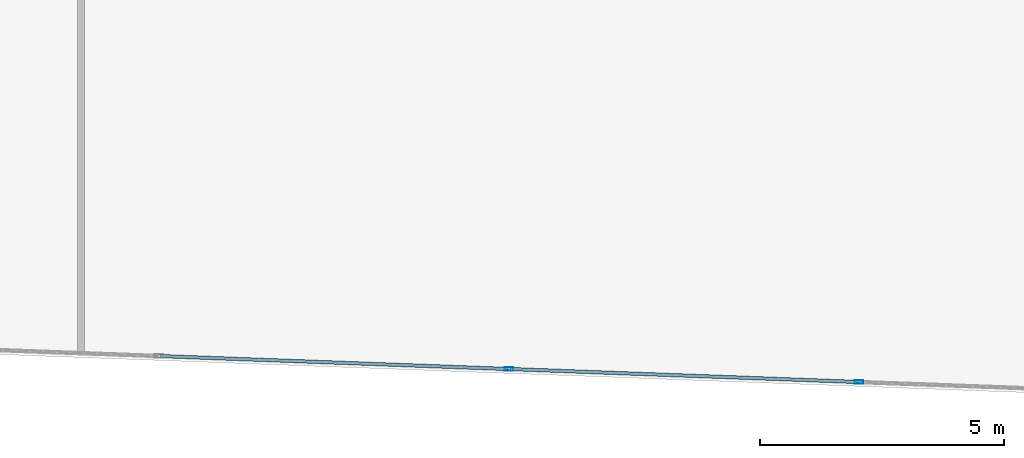
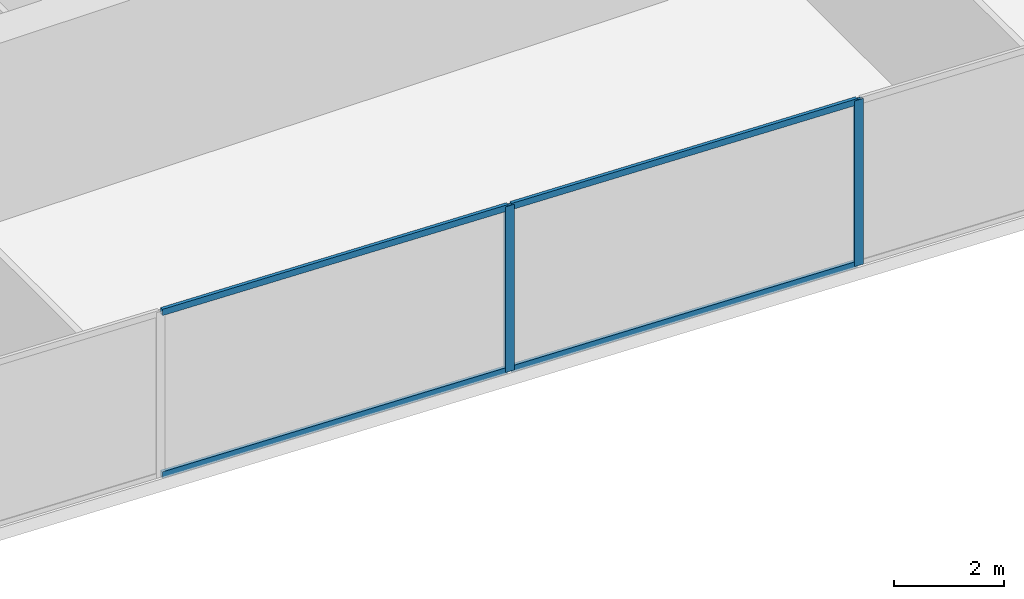
# One storey, part 6 of 30: 6 members, 1 element without a shape of its own.
"""IFC4 building model written with IfcOpenShell, lengths in metres."""

from ifc_helpers import new_model, si_unit, direction, frame, origin, origin_2d, place, context, subcontext, project, spatial, hollow_rectangle, extrude, source, transform, mapped, material, material_profile, profile_set, type_object, type_shapes, element, aggregate, save


model = new_model("IFC4")

# Units and contexts
model_context = context("Model", 3, precision=1e-05, world=origin(), true_north=direction((0.0, 1.0)))
body_context = subcontext(model_context, "Body", "Model", "MODEL_VIEW")
ifc_project = project(units=[si_unit("LENGTHUNIT", "METRE"), si_unit("AREAUNIT", "SQUARE_METRE"), si_unit("VOLUMEUNIT", "CUBIC_METRE"), si_unit("PLANEANGLEUNIT", "RADIAN"), si_unit("MASSUNIT", "GRAM", prefix="KILO")], contexts=[model_context])

# Site, building, storey
site_placement = place(None, origin())
site = spatial("IfcSite", under=ifc_project, at=site_placement, CompositionType="ELEMENT")
building_placement = place(site_placement, origin())
building = spatial("IfcBuilding", under=site, at=building_placement, Name="Krantzveldt Concourse Tower", CompositionType="ELEMENT")
storey_placement = place(building_placement, frame((0.0, 0.0, 36.85009765625)))
storey = spatial("IfcBuildingStorey", under=building, at=storey_placement, Name="L08", CompositionType="ELEMENT", Elevation=36.85009765625)

# Curtain wall, members
ifc_material = material(Name="Anodised aluminium 6063-T6", Category="aluminium")
curtain_wall_type = type_object("IfcCurtainWallType", Name="CW2", PredefinedType="USERDEFINED", material=ifc_material)
curtain_wall_placement = place(storey_placement, origin())
curtain_wall = element("IfcCurtainWall", 1, at=curtain_wall_placement, inside=storey, type_object=curtain_wall_type, Name="CW-L08-F04", ObjectType="UNITISED CURTAIN WALL", PredefinedType="USERDEFINED")
ifc_material_profile_1 = material_profile(ifc_material, hollow_rectangle(XDim=0.070068359375, YDim=0.179931640625, WallThickness=0.0048828125, at=origin_2d()), Name="Anodised aluminium 6063-T6", Category="aluminium")
ifc_profile_set_1 = profile_set([ifc_material_profile_1], Name="Anodised aluminium 6063-T6 - ALU-MULL 180x70x5")
member_type_1 = type_object("IfcMemberType", Name="CW-MUL-180", PredefinedType="MULLION", material=ifc_profile_set_1)
shared_shape_1 = source(origin(), body_context, "Body", "SweptSolid", [
    extrude(hollow_rectangle(XDim=0.070068359375, YDim=0.179931640625, WallThickness=0.0048828125, at=origin_2d()), origin(), (0.0, 0.0, 1.0), 3.669921875),
])
type_shapes(member_type_1, [shared_shape_1])
member_1_placement = place(storey_placement, frame((35.076416015625, 1.80712890625, 0.0), z_axis=(0.0, 0.0, 1.0), x_axis=(0.037079766834, 0.999312308986, 0.0)))
member_1 = element("IfcMember", 2, at=member_1_placement, type_object=member_type_1, Name="CW-Z12 mullion 4", PredefinedType="MULLION", context=body_context, shape_type="MappedRepresentation", body=[
    mapped(shared_shape_1, transform((0.0, 0.0, 0.0), x_axis=(1.0, 0.0, 0.0), y_axis=(0.0, 1.0, 0.0), z_axis=(0.0, 0.0, 1.0), scale=1.0)),
])
member_2_placement = place(storey_placement, frame((42.238037109375, 1.54150390625, 0.0), z_axis=(0.0, 0.0, 1.0), x_axis=(0.037079766834, 0.999312308986, 0.0)))
member_2 = element("IfcMember", 3, at=member_2_placement, type_object=member_type_1, Name="CW-Z12 mullion 5", PredefinedType="MULLION", context=body_context, shape_type="MappedRepresentation", body=[
    mapped(shared_shape_1, transform((0.0, 0.0, 0.0), x_axis=(1.0, 0.0, 0.0), y_axis=(0.0, 1.0, 0.0), z_axis=(0.0, 0.0, 1.0), scale=1.0)),
])
ifc_material_profile_2 = material_profile(ifc_material, hollow_rectangle(XDim=0.070068359375, YDim=0.139892578125, WallThickness=0.0048828125, at=origin_2d()), Name="Anodised aluminium 6063-T6", Category="aluminium")
ifc_profile_set_2 = profile_set([ifc_material_profile_2], Name="Anodised aluminium 6063-T6 - ALU-TRAN 140x70x5")
member_type_2 = type_object("IfcMemberType", Name="CW-TRN-150", PredefinedType="USERDEFINED", material=ifc_profile_set_2)
shared_shape_2 = source(origin(), body_context, "Body", "SweptSolid", [
    extrude(hollow_rectangle(XDim=0.070068359375, YDim=0.139892578125, WallThickness=0.0048828125, at=origin_2d()), origin(), (0.0, 0.0, 1.0), 7.0966796875),
])
type_shapes(member_type_2, [shared_shape_2])
member_3_placement = place(storey_placement, frame((27.949462890625, 2.071533203125, 0.034912109375), z_axis=(0.999312097724, -0.037085459975, 0.0), x_axis=(0.037085459975, 0.999312097724, 0.0)))
member_3 = element("IfcMember", 4, at=member_3_placement, type_object=member_type_2, Name="CW-Z12 transom 3.1", ObjectType="TRANSOM", PredefinedType="USERDEFINED", context=body_context, shape_type="MappedRepresentation", body=[
    mapped(shared_shape_2, transform((0.0, 0.0, 0.0), x_axis=(1.0, 0.0, 0.0), y_axis=(0.0, 1.0, 0.0), z_axis=(0.0, 0.0, 1.0), scale=1.0)),
])
member_4_placement = place(storey_placement, frame((27.949462890625, 2.071533203125, 3.635009765625), z_axis=(0.999312097724, -0.037085459975, 0.0), x_axis=(0.037085459975, 0.999312097724, 0.0)))
member_4 = element("IfcMember", 5, at=member_4_placement, type_object=member_type_2, Name="CW-Z12 transom 3.2", ObjectType="TRANSOM", PredefinedType="USERDEFINED", context=body_context, shape_type="MappedRepresentation", body=[
    mapped(shared_shape_2, transform((0.0, 0.0, 0.0), x_axis=(1.0, 0.0, 0.0), y_axis=(0.0, 1.0, 0.0), z_axis=(0.0, 0.0, 1.0), scale=1.0)),
])
member_5_placement = place(storey_placement, frame((35.111328125, 1.805908203125, 0.034912109375), z_axis=(0.999312097724, -0.037085459975, 0.0), x_axis=(0.037085459975, 0.999312097724, 0.0)))
member_5 = element("IfcMember", 6, at=member_5_placement, type_object=member_type_2, Name="CW-Z12 transom 4.1", ObjectType="TRANSOM", PredefinedType="USERDEFINED", context=body_context, shape_type="MappedRepresentation", body=[
    mapped(shared_shape_2, transform((0.0, 0.0, 0.0), x_axis=(1.0, 0.0, 0.0), y_axis=(0.0, 1.0, 0.0), z_axis=(0.0, 0.0, 1.0), scale=1.0)),
])
member_6_placement = place(storey_placement, frame((35.111328125, 1.805908203125, 3.635009765625), z_axis=(0.999312097724, -0.037085459975, 0.0), x_axis=(0.037085459975, 0.999312097724, 0.0)))
member_6 = element("IfcMember", 7, at=member_6_placement, type_object=member_type_2, Name="CW-Z12 transom 4.2", ObjectType="TRANSOM", PredefinedType="USERDEFINED", context=body_context, shape_type="MappedRepresentation", body=[
    mapped(shared_shape_2, transform((0.0, 0.0, 0.0), x_axis=(1.0, 0.0, 0.0), y_axis=(0.0, 1.0, 0.0), z_axis=(0.0, 0.0, 1.0), scale=1.0)),
])
aggregate(curtain_wall, [member_1, member_2, member_3, member_4, member_5, member_6])

save(model, "model.ifc")
